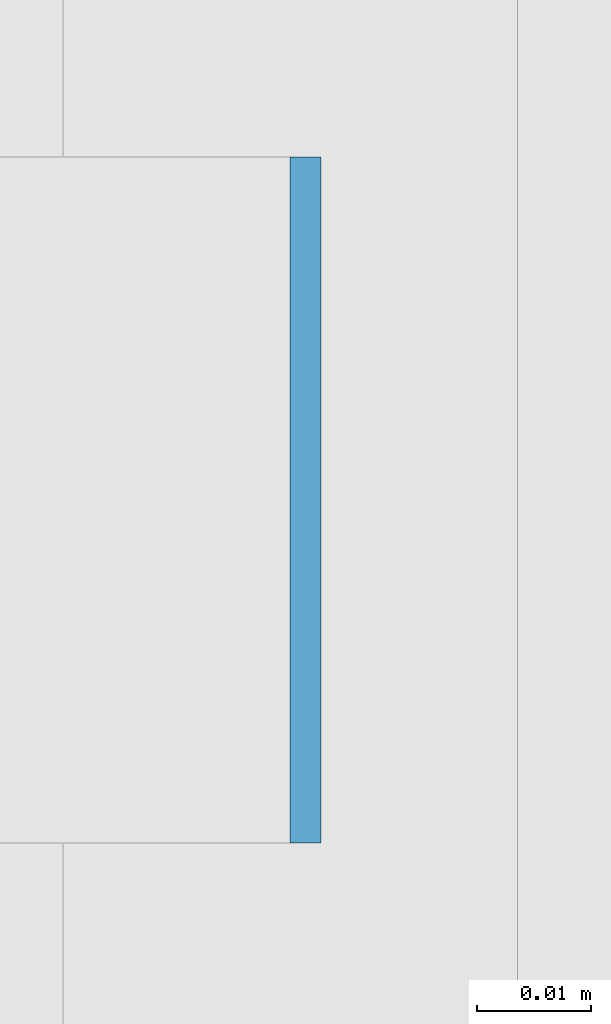
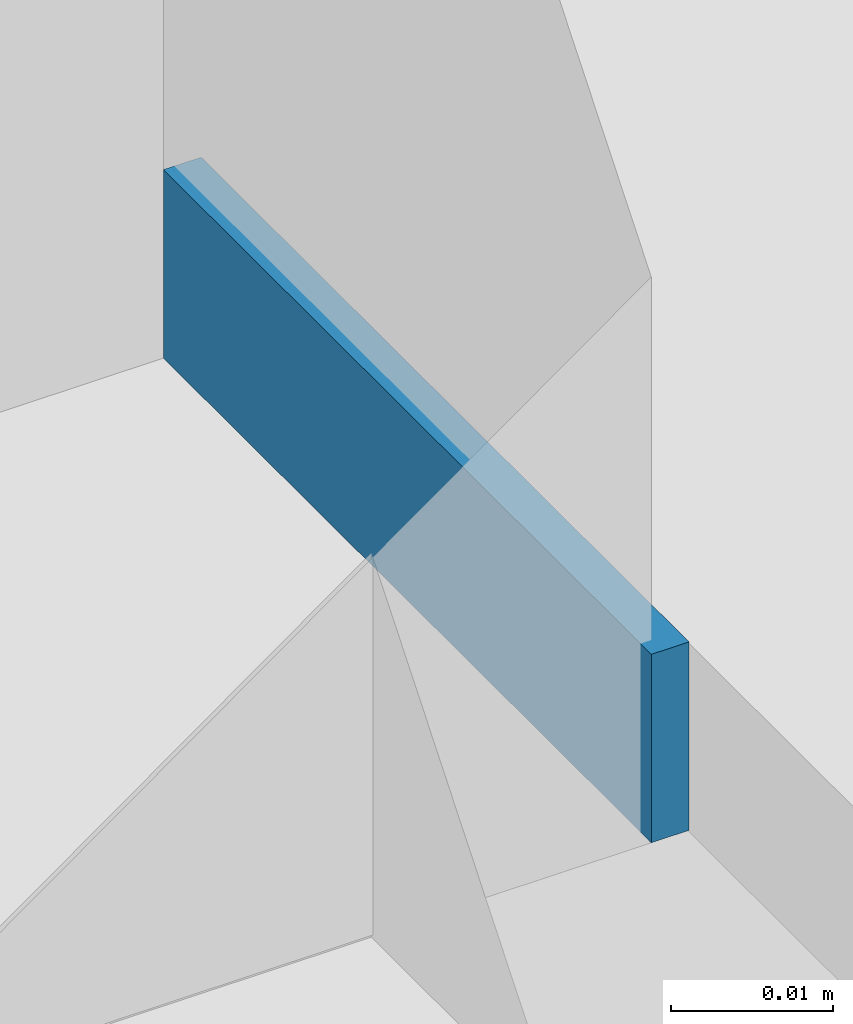
# One storey, part 420 of 646: 1 discrete accessory.
"""IFC4 building model written with IfcOpenShell, lengths in metres."""

from ifc_helpers import new_model, si_unit, direction, frame, origin, origin_2d, place, context, subcontext, project, spatial, rectangle, extrude, material, type_object, element, save


model = new_model("IFC4")

# Units and contexts
model_context = context("Model", 3, precision=1e-05, world=origin(), true_north=direction((0.0, 1.0)))
body_context = subcontext(model_context, "Body", "Model", "MODEL_VIEW")
ifc_project = project(units=[si_unit("LENGTHUNIT", "METRE"), si_unit("AREAUNIT", "SQUARE_METRE"), si_unit("VOLUMEUNIT", "CUBIC_METRE"), si_unit("PLANEANGLEUNIT", "RADIAN"), si_unit("MASSUNIT", "GRAM", prefix="KILO")], contexts=[model_context])

# Site, building, storey
site_placement = place(None, origin())
site = spatial("IfcSite", under=ifc_project, at=site_placement, CompositionType="ELEMENT")
building_placement = place(site_placement, origin())
building = spatial("IfcBuilding", under=site, at=building_placement, Name="Silverbay Arena", CompositionType="ELEMENT")
storey_placement = place(building_placement, frame((0.0, 0.0, 33.5)))
storey = spatial("IfcBuildingStorey", under=building, at=storey_placement, Name="L05", CompositionType="ELEMENT", Elevation=33.5)

# Discrete accessory
ifc_material = material(Name="Steel S355", Category="steel")
discrete_accessory_type = type_object("IfcDiscreteAccessoryType", Name="Steel bracket plate", PredefinedType="BRACKET", material=ifc_material)
discrete_accessory_placement = place(storey_placement, frame((53.871337890625, 130.300048828125, 4.0), z_axis=(0.0, 0.0, 1.0), x_axis=(1.0, 0.0, 0.0)))
element("IfcDiscreteAccessory", 1, at=discrete_accessory_placement, inside=storey, type_object=discrete_accessory_type, Name="Curtain wall packing plate", PredefinedType="BRACKET", context=body_context, shape_type="SweptSolid", body=[
    extrude(rectangle(XDim=0.002685546875, YDim=0.06005859375, at=origin_2d()), origin(), (0.0, 0.0, 1.0), 0.01416015625),
])

save(model, "model.ifc")
